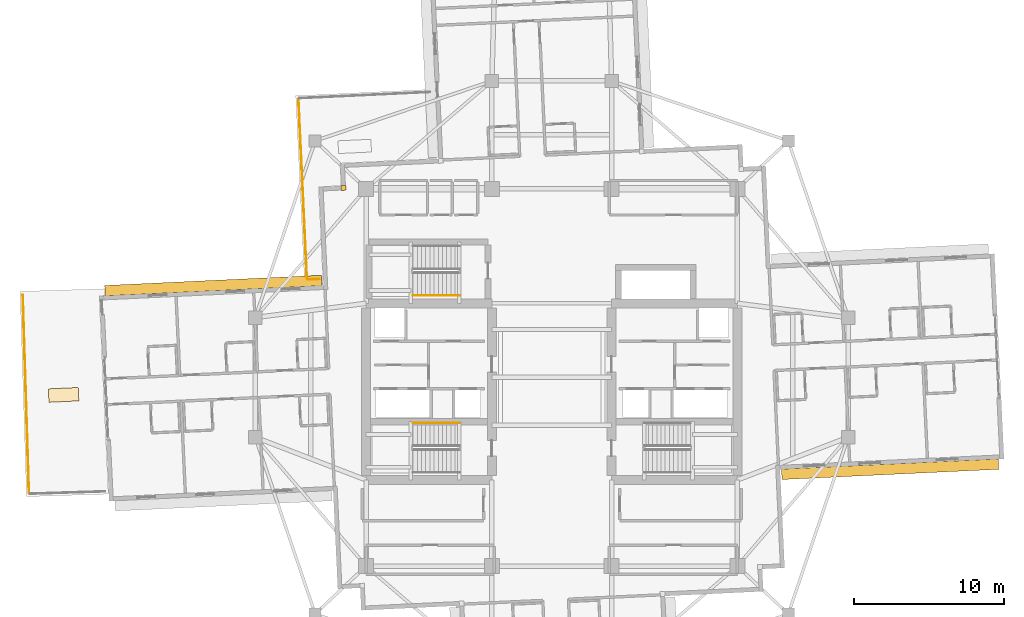
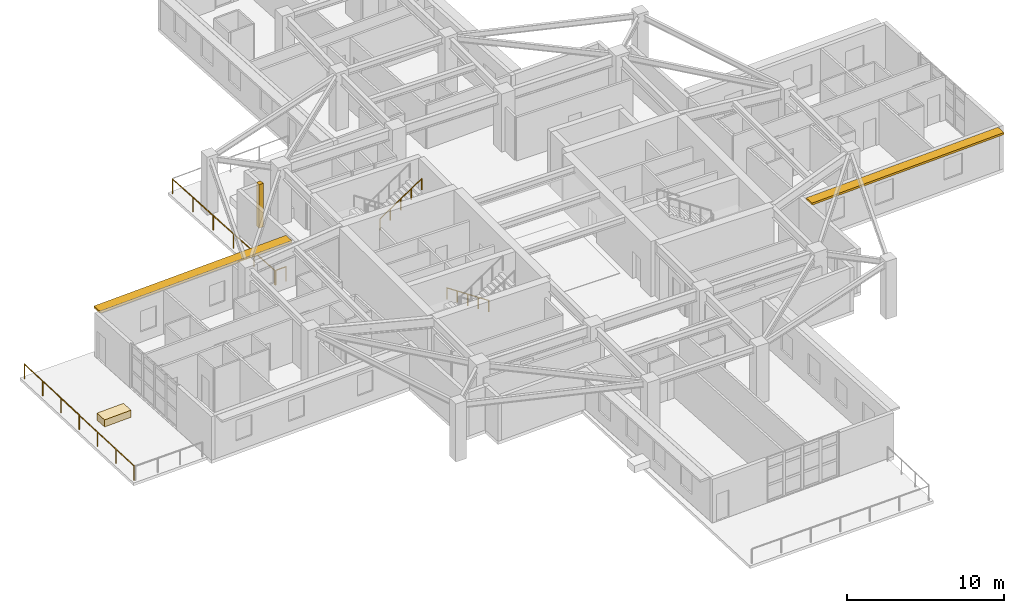
# One storey, part 20 of 22: 5 railings, 2 coverings, 2 shading devices.
"""IFC4 building model written with IfcOpenShell, lengths in metres."""

from ifc_helpers import new_model, si_unit, direction, frame, origin, origin_2d, place, context, subcontext, project, spatial, rectangle, circle, extrude, material, layer, layer_set, type_object, element, save


model = new_model("IFC4")

# Units and contexts
model_context = context("Model", 3, precision=1e-05, world=origin(), true_north=direction((0.0, 1.0)))
body_context = subcontext(model_context, "Body", "Model", "MODEL_VIEW")
ifc_project = project(units=[si_unit("LENGTHUNIT", "METRE"), si_unit("AREAUNIT", "SQUARE_METRE"), si_unit("VOLUMEUNIT", "CUBIC_METRE"), si_unit("PLANEANGLEUNIT", "RADIAN"), si_unit("MASSUNIT", "GRAM", prefix="KILO")], contexts=[model_context])

# Site, building, storey
site_placement = place(None, origin())
site = spatial("IfcSite", under=ifc_project, at=site_placement, CompositionType="ELEMENT")
building_placement = place(site_placement, origin())
building = spatial("IfcBuilding", under=site, at=building_placement, Name="Qingluan Cross Belvedere", CompositionType="ELEMENT")
storey_placement = place(building_placement, frame((0.0, 0.0, 196.800048828125)))
storey = spatial("IfcBuildingStorey", under=building, at=storey_placement, Name="L49", CompositionType="ELEMENT", Elevation=196.800048828125)

# Covering
ifc_material_1 = material(Name="Precast concrete C45", Category="concrete")
ifc_layer_1 = layer(ifc_material_1, 0.1201171875, Name="ConcreteSpandrelCladding_120")
ifc_layer_set_1 = layer_set([ifc_layer_1], Name="Precast concrete C45")
covering_type_1 = type_object("IfcCoveringType", Name="ConcreteSpandrelCladding_120", PredefinedType="CLADDING", material=ifc_layer_set_1)
covering_1_placement = place(storey_placement, frame((-13.911865234375, 12.65869140625, 0.0), z_axis=(0.0, 0.0, 1.0), x_axis=(0.998889874962, 0.04710645071, 0.0)))
element("IfcCovering", 1, at=covering_1_placement, inside=storey, type_object=covering_type_1, Name="Corner closure L49-NW1", PredefinedType="CLADDING", context=body_context, shape_type="SweptSolid", body=[
    extrude(rectangle(XDim=0.320068359375, YDim=0.320068359375, at=origin_2d()), origin(), (0.0, 0.0, 1.0), 3.3798828125),
])

# Shading devices
ifc_material_2 = material(Name="Precast concrete C45", Category="concrete")
ifc_layer_2 = layer(ifc_material_2, 0.139892578125, Name="ConcreteSunshadeBand_700")
ifc_layer_set_2 = layer_set([ifc_layer_2], Name="Precast concrete C45")
shading_device_type = type_object("IfcShadingDeviceType", Name="ConcreteSunshadeBand_700", PredefinedType="USERDEFINED", material=ifc_layer_set_2)
for number, where, z_axis, x_axis, name in (
    (2, (22.60400390625, -6.132080078125, 3.2001953125), (0.0, 0.0, 1.0), (0.99888976521, 0.047108777928, 0.0), "Concrete SUNSHADE L49-EA"),
    (3, (-22.60400390625, 6.132080078125, 3.2001953125), (0.0, 0.0, 1.0), (-0.99888976521, -0.047108777928, 0.0), "Concrete SUNSHADE L49-WA"),
):
    element("IfcShadingDevice", number, at=place(storey_placement, frame(where, z_axis=z_axis, x_axis=x_axis)), inside=storey, type_object=shading_device_type, Name=name, ObjectType="SUNSHADE", PredefinedType="USERDEFINED", context=body_context, shape_type="SweptSolid", body=[
        extrude(rectangle(XDim=14.5, YDim=0.699951171875, at=origin_2d()), origin(), (0.0, 0.0, 1.0), 0.159912109375),
    ])

# Railings
ifc_material_3 = material(Name="Brushed stainless steel tubular handrail", Category="steel")
railing_type_1 = type_object("IfcRailingType", Name="StairPitchHandrail_900", PredefinedType="HANDRAIL", material=ifc_material_3)
railing_1_placement = place(storey_placement, frame((-6.179931640625, -3.050048828125, 0.1875)))
element("IfcRailing", 4, at=railing_1_placement, inside=storey, type_object=railing_type_1, Name="L49 ST1 stair handrail 1", PredefinedType="HANDRAIL", context=body_context, shape_type="SweptSolid", body=[
    extrude(circle(Radius=0.02392578125, at=origin_2d()), frame((0.0, 0.0, 0.8759765625), z_axis=(-0.830913701846, 0.0, 0.55640131208), x_axis=(0.0, -1.0, 0.0)), (0.0, 0.0, 1.0), 3.706787109375),
    extrude(circle(Radius=0.02099609375, at=origin_2d()), origin(), (0.0, 0.0, 1.0), 0.851806640625),
    extrude(circle(Radius=0.02099609375, at=origin_2d()), frame((-0.77001953125, 0.0, 0.515625)), (0.0, 0.0, 1.0), 0.851806640625),
    extrude(circle(Radius=0.02099609375, at=origin_2d()), frame((-1.5400390625, 0.0, 1.03125)), (0.0, 0.0, 1.0), 0.851806640625),
    extrude(circle(Radius=0.02099609375, at=origin_2d()), frame((-2.31005859375, 0.0, 1.546875)), (0.0, 0.0, 1.0), 0.851806640625),
    extrude(circle(Radius=0.02099609375, at=origin_2d()), frame((-3.080078125, 0.0, 2.0625)), (0.0, 0.0, 1.0), 0.851806640625),
])
railing_2_placement = place(storey_placement, frame((-9.260009765625, 5.469970703125, 2.4375)))
element("IfcRailing", 5, at=railing_2_placement, inside=storey, type_object=railing_type_1, Name="L49 ST3 stair handrail 2", PredefinedType="HANDRAIL", context=body_context, shape_type="SweptSolid", body=[
    extrude(circle(Radius=0.02392578125, at=origin_2d()), frame((0.0, 0.0, 0.8759765625), z_axis=(0.830913701846, 0.0, 0.55640131208), x_axis=(0.0, 1.0, 0.0)), (0.0, 0.0, 1.0), 3.706787109375),
    extrude(circle(Radius=0.02099609375, at=origin_2d()), origin(), (0.0, 0.0, 1.0), 0.851806640625),
    extrude(circle(Radius=0.02099609375, at=origin_2d()), frame((0.77001953125, 0.0, 0.515625)), (0.0, 0.0, 1.0), 0.851806640625),
    extrude(circle(Radius=0.02099609375, at=origin_2d()), frame((1.5400390625, 0.0, 1.03125)), (0.0, 0.0, 1.0), 0.851806640625),
    extrude(circle(Radius=0.02099609375, at=origin_2d()), frame((2.31005859375, 0.0, 1.546875)), (0.0, 0.0, 1.0), 0.851806640625),
    extrude(circle(Radius=0.02099609375, at=origin_2d()), frame((3.080078125, 0.0, 2.0625)), (0.0, 0.0, 1.0), 0.851806640625),
])
ifc_material_4 = material(Name="Laminated glass and stainless steel balustrade", Category="steel")
railing_type_2 = type_object("IfcRailingType", Name="TerraceGuardBalustrade_1150", PredefinedType="BALUSTRADE", material=ifc_material_4)
railing_3_placement = place(storey_placement, frame((-34.914794921875, -7.720458984375, 0.0)))
element("IfcRailing", 6, at=railing_3_placement, inside=storey, type_object=railing_type_2, Name="Terrace guard L49-1", PredefinedType="BALUSTRADE", context=body_context, shape_type="SweptSolid", body=[
    extrude(circle(Radius=0.02392578125, at=origin_2d()), frame((0.0, 0.0, 1.1259765625), z_axis=(-0.031402850261, 0.999506808879, 0.0), x_axis=(-0.999506808879, -0.031402850261, 0.0)), (0.0, 0.0, 1.0), 13.239990234375),
    extrude(circle(Radius=0.02099609375, at=origin_2d()), origin(), (0.0, 0.0, 1.0), 1.101806640625),
    extrude(circle(Radius=0.02099609375, at=origin_2d()), frame((-0.0693359375, 2.20556640625, 0.0)), (0.0, 0.0, 1.0), 1.101806640625),
    extrude(circle(Radius=0.02099609375, at=origin_2d()), frame((-0.138671875, 4.4111328125, 0.0)), (0.0, 0.0, 1.0), 1.101806640625),
    extrude(circle(Radius=0.02099609375, at=origin_2d()), frame((-0.2080078125, 6.61669921875, 0.0)), (0.0, 0.0, 1.0), 1.101806640625),
    extrude(circle(Radius=0.02099609375, at=origin_2d()), frame((-0.277099609375, 8.822265625, 0.0)), (0.0, 0.0, 1.0), 1.101806640625),
    extrude(circle(Radius=0.02099609375, at=origin_2d()), frame((-0.346435546875, 11.02783203125, 0.0)), (0.0, 0.0, 1.0), 1.101806640625),
    extrude(circle(Radius=0.02099609375, at=origin_2d()), frame((-0.415771484375, 13.2333984375, 0.0)), (0.0, 0.0, 1.0), 1.101806640625),
])
railing_4_placement = place(storey_placement, frame((-16.34912109375, 6.599609375, 0.0)))
element("IfcRailing", 7, at=railing_4_placement, inside=storey, type_object=railing_type_2, Name="Terrace guard L49-1", PredefinedType="BALUSTRADE", context=body_context, shape_type="SweptSolid", body=[
    extrude(circle(Radius=0.02392578125, at=origin_2d()), frame((0.0, 0.0, 1.1259765625), z_axis=(-0.047108802814, 0.998889764037, 0.0), x_axis=(-0.998889764037, -0.047108802814, 0.0)), (0.0, 0.0, 1.0), 11.99755859375),
    extrude(circle(Radius=0.02099609375, at=origin_2d()), origin(), (0.0, 0.0, 1.0), 1.101806640625),
    extrude(circle(Radius=0.02099609375, at=origin_2d()), frame((-0.113037109375, 2.396728515625, 0.0)), (0.0, 0.0, 1.0), 1.101806640625),
    extrude(circle(Radius=0.02099609375, at=origin_2d()), frame((-0.22607421875, 4.793701171875, 0.0)), (0.0, 0.0, 1.0), 1.101806640625),
    extrude(circle(Radius=0.02099609375, at=origin_2d()), frame((-0.339111328125, 7.1904296875, 0.0)), (0.0, 0.0, 1.0), 1.101806640625),
    extrude(circle(Radius=0.02099609375, at=origin_2d()), frame((-0.4521484375, 9.58740234375, 0.0)), (0.0, 0.0, 1.0), 1.101806640625),
    extrude(circle(Radius=0.02099609375, at=origin_2d()), frame((-0.565185546875, 11.984130859375, 0.0)), (0.0, 0.0, 1.0), 1.101806640625),
])
railing_5_placement = place(storey_placement, frame((-15.516357421875, 6.56591796875, 0.0)))
element("IfcRailing", 8, at=railing_5_placement, inside=storey, type_object=railing_type_2, Name="Terrace guard L49-3", PredefinedType="BALUSTRADE", context=body_context, shape_type="SweptSolid", body=[
    extrude(circle(Radius=0.02392578125, at=origin_2d()), frame((0.0, 0.0, 1.1259765625), z_axis=(-0.999507738078, -0.031373261278, 0.0), x_axis=(0.031373261278, -0.999507738078, 0.0)), (0.0, 0.0, 1.0), 0.7705078125),
    extrude(circle(Radius=0.02099609375, at=origin_2d()), origin(), (0.0, 0.0, 1.0), 1.101806640625),
    extrude(circle(Radius=0.02099609375, at=origin_2d()), frame((-0.77001953125, -0.024169921875, 0.0)), (0.0, 0.0, 1.0), 1.101806640625),
])

# Covering
ifc_material_5 = material(Name="Precast concrete C40", Category="concrete")
ifc_layer_3 = layer(ifc_material_5, 0.550048828125, Name="TerracePlanterBox")
ifc_layer_set_3 = layer_set([ifc_layer_3], Name="Precast concrete C40")
covering_type_2 = type_object("IfcCoveringType", Name="TerracePlanterBox", PredefinedType="USERDEFINED", material=ifc_layer_set_3)
covering_2_placement = place(storey_placement, frame((-32.60693359375, -1.1669921875, 0.0), z_axis=(0.0, 0.0, 1.0), x_axis=(0.998889874962, 0.04710645071, 0.0)))
element("IfcCovering", 9, at=covering_2_placement, inside=storey, type_object=covering_type_2, Name="Terrace garden planter L49-1", ObjectType="PLANTER", PredefinedType="USERDEFINED", context=body_context, shape_type="SweptSolid", body=[
    extrude(rectangle(XDim=2.0, YDim=0.89990234375, at=origin_2d()), origin(), (0.0, 0.0, 1.0), 0.550048828125),
])

save(model, "model.ifc")
